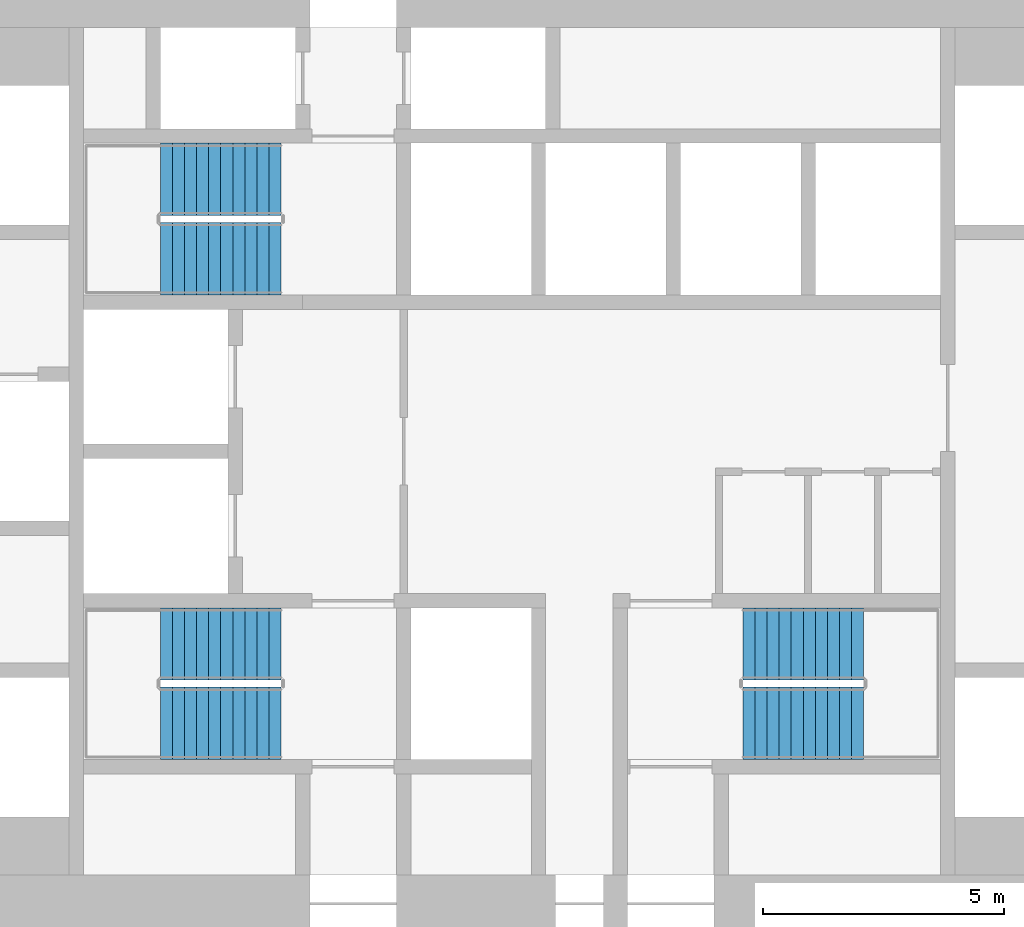
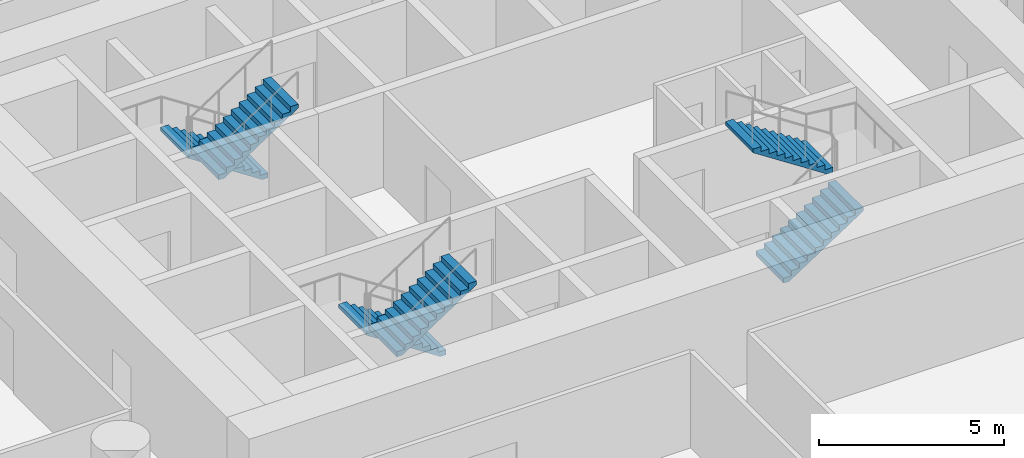
# One storey, part 11 of 12: 6 stair flights, 3 elements without a shape of their own.
"""IFC4 building model written with IfcOpenShell, lengths in metres."""

from ifc_helpers import new_model, si_unit, direction, frame, origin, place, context, subcontext, project, spatial, polyline, outline, extrude, material, type_object, element, aggregate, save


model = new_model("IFC4")

# Units and contexts
model_context = context("Model", 3, precision=1e-05, world=origin(), true_north=direction((0.0, 1.0)))
body_context = subcontext(model_context, "Body", "Model", "MODEL_VIEW")
ifc_project = project(units=[si_unit("LENGTHUNIT", "METRE"), si_unit("AREAUNIT", "SQUARE_METRE"), si_unit("VOLUMEUNIT", "CUBIC_METRE"), si_unit("PLANEANGLEUNIT", "RADIAN"), si_unit("MASSUNIT", "GRAM", prefix="KILO")], contexts=[model_context])

# Site, building, storey
site_placement = place(None, origin())
site = spatial("IfcSite", under=ifc_project, at=site_placement, CompositionType="ELEMENT")
building_placement = place(site_placement, origin())
building = spatial("IfcBuilding", under=site, at=building_placement, Name="Tracery Tower", CompositionType="ELEMENT")
storey_placement = place(building_placement, frame((0.0, 0.0, 28.199951171875)))
storey = spatial("IfcBuildingStorey", under=building, at=storey_placement, Name="L05", CompositionType="ELEMENT", Elevation=28.199951171875)

# Stair, stair flights
ifc_material_1 = material(Name="Concrete C32/40", Category="concrete")
stair_type = type_object("IfcStairType", Name="Core stair 22 risers", PredefinedType="HALF_TURN_STAIR", material=ifc_material_1)
stair_1_placement = place(storey_placement, origin())
stair_1 = element("IfcStair", 1, at=stair_1_placement, inside=storey, type_object=stair_type, Name="L05 stair ST1", PredefinedType="HALF_TURN_STAIR")
ifc_material_2 = material(Name="Concrete C32/40", Category="concrete")
stair_flight_type = type_object("IfcStairFlightType", Name="Core stair flight 11 risers", PredefinedType="STRAIGHT", material=ifc_material_2)
stair_flight_1_placement = place(storey_placement, frame((-4.800048828125, -4.0, 0.0), z_axis=(0.0, 0.0, 1.0), x_axis=(-1.0, 0.0, 0.0)))
stair_flight_1 = element("IfcStairFlight", 2, at=stair_flight_1_placement, type_object=stair_flight_type, Name="ST1 flight 1", NumberOfRisers=11, NumberOfTreads=10, PredefinedType="STRAIGHT", RiserHeight=0.163636364, TreadLength=0.25, context=body_context, shape_type="SweptSolid", body=[
    extrude(outline(polyline([(0.0, 0.0), (0.0, 0.002685546875), (0.0, 0.00537109375), (0.0, 0.008056640625), (0.0, 0.0107421875), (0.0, 0.013427734375), (0.0, 0.01611328125), (0.0, 0.018798828125), (0.0, 0.021484375), (0.0, 0.024169921875), (0.0, 0.02685546875), (0.0, 0.029541015625), (0.0, 0.0322265625), (0.0, 0.034912109375), (0.0, 0.03759765625), (0.0, 0.040283203125), (0.0, 0.04296875), (0.0, 0.045654296875), (0.0, 0.04833984375), (0.0, 0.051025390625), (0.0, 0.0537109375), (0.0, 0.056396484375), (0.0, 0.05908203125), (0.0, 0.061767578125), (0.0, 0.064453125), (0.0, 0.067138671875), (0.0, 0.06982421875), (0.0, 0.072509765625), (0.0, 0.0751953125), (0.0, 0.077880859375), (0.0, 0.08056640625), (0.0, 0.083251953125), (0.0, 0.0859375), (0.0, 0.088623046875), (0.0, 0.09130859375), (0.0, 0.093994140625), (0.0, 0.0966796875), (0.0, 0.099365234375), (0.0, 0.10205078125), (0.0, 0.104736328125), (0.0, 0.107421875), (0.0, 0.10986328125), (0.0, 0.112548828125), (0.0, 0.115234375), (0.0, 0.117919921875), (0.0, 0.12060546875), (0.0, 0.123291015625), (0.0, 0.1259765625), (0.0, 0.128662109375), (0.0, 0.13134765625), (0.0, 0.134033203125), (0.0, 0.13671875), (0.0, 0.139404296875), (0.0, 0.14208984375), (0.0, 0.144775390625), (0.0, 0.1474609375), (0.0, 0.150146484375), (0.0, 0.15283203125), (0.0, 0.155517578125), (0.0, 0.158203125), (0.0, 0.160888671875), (0.0, 0.16357421875), (0.25, 0.16357421875), (0.25, 0.327392578125), (0.5, 0.327392578125), (0.5, 0.490966796875), (0.75, 0.490966796875), (0.75, 0.654541015625), (1.0, 0.654541015625), (1.0, 0.818115234375), (1.25, 0.818115234375), (1.25, 0.98193359375), (1.5, 0.98193359375), (1.5, 1.1455078125), (1.75, 1.1455078125), (1.75, 1.30908203125), (2.0, 1.30908203125), (2.0, 1.47265625), (2.25, 1.47265625), (2.25, 1.636474609375), (2.5, 1.636474609375), (2.5, 1.634521484375), (2.5, 1.63232421875), (2.5, 1.63037109375), (2.5, 1.62841796875), (2.5, 1.62646484375), (2.5, 1.62451171875), (2.5, 1.62255859375), (2.5, 1.62060546875), (2.5, 1.61865234375), (2.5, 1.61669921875), (2.5, 1.61474609375), (2.5, 1.61279296875), (2.5, 1.61083984375), (2.5, 1.60888671875), (2.5, 1.60693359375), (2.5, 1.60498046875), (2.5, 1.60302734375), (2.5, 1.60107421875), (2.5, 1.59912109375), (2.5, 1.59716796875), (2.5, 1.59521484375), (2.5, 1.59326171875), (2.5, 1.59130859375), (2.5, 1.58935546875), (2.5, 1.58740234375), (2.5, 1.58544921875), (2.5, 1.58349609375), (2.5, 1.58154296875), (2.5, 1.57958984375), (2.5, 1.57763671875), (2.5, 1.57568359375), (2.5, 1.573486328125), (2.5, 1.571533203125), (2.5, 1.569580078125), (2.5, 1.567626953125), (2.5, 1.565673828125), (2.5, 1.563720703125), (2.5, 1.561767578125), (2.5, 1.559814453125), (2.5, 1.557861328125), (2.5, 1.555908203125), (2.5, 1.553955078125), (2.5, 1.552001953125), (2.5, 1.550048828125), (2.5, 1.548095703125), (2.5, 1.546142578125), (2.5, 1.544189453125), (2.5, 1.542236328125), (2.5, 1.540283203125), (2.5, 1.538330078125), (2.5, 1.536376953125), (2.5, 1.534423828125), (2.5, 1.532470703125), (2.5, 1.530517578125), (2.5, 1.528564453125), (2.5, 1.526611328125), (2.5, 1.524658203125), (2.5, 1.522705078125), (2.5, 1.520751953125), (2.5, 1.518798828125), (2.5, 1.516845703125), (0.182861328125, 0.0), (0.0, 0.0)])), frame((0.0, 0.75, 0.0), z_axis=(0.0, -1.0, 0.0), x_axis=(1.0, 0.0, 0.0)), (0.0, 0.0, 1.0), 1.5),
])
stair_flight_2_placement = place(storey_placement, frame((-7.300048828125, -5.64990234375, 1.800048828125), z_axis=(0.0, 0.0, 1.0), x_axis=(1.0, 0.0, 0.0)))
stair_flight_2 = element("IfcStairFlight", 3, at=stair_flight_2_placement, type_object=stair_flight_type, Name="ST1 flight 2", NumberOfRisers=11, NumberOfTreads=10, PredefinedType="STRAIGHT", RiserHeight=0.163636364, TreadLength=0.25, context=body_context, shape_type="SweptSolid", body=[
    extrude(outline(polyline([(0.0, 0.0), (0.0, 0.002685546875), (0.0, 0.00537109375), (0.0, 0.008056640625), (0.0, 0.0107421875), (0.0, 0.013427734375), (0.0, 0.01611328125), (0.0, 0.018798828125), (0.0, 0.021484375), (0.0, 0.024169921875), (0.0, 0.02685546875), (0.0, 0.029541015625), (0.0, 0.0322265625), (0.0, 0.034912109375), (0.0, 0.03759765625), (0.0, 0.040283203125), (0.0, 0.04296875), (0.0, 0.045654296875), (0.0, 0.04833984375), (0.0, 0.051025390625), (0.0, 0.0537109375), (0.0, 0.056396484375), (0.0, 0.05908203125), (0.0, 0.061767578125), (0.0, 0.064453125), (0.0, 0.067138671875), (0.0, 0.06982421875), (0.0, 0.072509765625), (0.0, 0.0751953125), (0.0, 0.077880859375), (0.0, 0.08056640625), (0.0, 0.083251953125), (0.0, 0.0859375), (0.0, 0.088623046875), (0.0, 0.09130859375), (0.0, 0.093994140625), (0.0, 0.0966796875), (0.0, 0.099365234375), (0.0, 0.10205078125), (0.0, 0.104736328125), (0.0, 0.107421875), (0.0, 0.10986328125), (0.0, 0.112548828125), (0.0, 0.115234375), (0.0, 0.117919921875), (0.0, 0.12060546875), (0.0, 0.123291015625), (0.0, 0.1259765625), (0.0, 0.128662109375), (0.0, 0.13134765625), (0.0, 0.134033203125), (0.0, 0.13671875), (0.0, 0.139404296875), (0.0, 0.14208984375), (0.0, 0.144775390625), (0.0, 0.1474609375), (0.0, 0.150146484375), (0.0, 0.15283203125), (0.0, 0.155517578125), (0.0, 0.158203125), (0.0, 0.160888671875), (0.0, 0.16357421875), (0.25, 0.16357421875), (0.25, 0.327392578125), (0.5, 0.327392578125), (0.5, 0.490966796875), (0.75, 0.490966796875), (0.75, 0.654541015625), (1.0, 0.654541015625), (1.0, 0.818115234375), (1.25, 0.818115234375), (1.25, 0.98193359375), (1.5, 0.98193359375), (1.5, 1.1455078125), (1.75, 1.1455078125), (1.75, 1.30908203125), (2.0, 1.30908203125), (2.0, 1.47265625), (2.25, 1.47265625), (2.25, 1.636474609375), (2.5, 1.636474609375), (2.5, 1.634521484375), (2.5, 1.63232421875), (2.5, 1.63037109375), (2.5, 1.62841796875), (2.5, 1.62646484375), (2.5, 1.62451171875), (2.5, 1.62255859375), (2.5, 1.62060546875), (2.5, 1.61865234375), (2.5, 1.61669921875), (2.5, 1.61474609375), (2.5, 1.61279296875), (2.5, 1.61083984375), (2.5, 1.60888671875), (2.5, 1.60693359375), (2.5, 1.60498046875), (2.5, 1.60302734375), (2.5, 1.60107421875), (2.5, 1.59912109375), (2.5, 1.59716796875), (2.5, 1.59521484375), (2.5, 1.59326171875), (2.5, 1.59130859375), (2.5, 1.58935546875), (2.5, 1.58740234375), (2.5, 1.58544921875), (2.5, 1.58349609375), (2.5, 1.58154296875), (2.5, 1.57958984375), (2.5, 1.57763671875), (2.5, 1.57568359375), (2.5, 1.573486328125), (2.5, 1.571533203125), (2.5, 1.569580078125), (2.5, 1.567626953125), (2.5, 1.565673828125), (2.5, 1.563720703125), (2.5, 1.561767578125), (2.5, 1.559814453125), (2.5, 1.557861328125), (2.5, 1.555908203125), (2.5, 1.553955078125), (2.5, 1.552001953125), (2.5, 1.550048828125), (2.5, 1.548095703125), (2.5, 1.546142578125), (2.5, 1.544189453125), (2.5, 1.542236328125), (2.5, 1.540283203125), (2.5, 1.538330078125), (2.5, 1.536376953125), (2.5, 1.534423828125), (2.5, 1.532470703125), (2.5, 1.530517578125), (2.5, 1.528564453125), (2.5, 1.526611328125), (2.5, 1.524658203125), (2.5, 1.522705078125), (2.5, 1.520751953125), (2.5, 1.518798828125), (2.5, 1.516845703125), (0.182861328125, 0.0), (0.0, 0.0)])), frame((0.0, 0.75, 0.0), z_axis=(0.0, -1.0, 0.0), x_axis=(1.0, 0.0, 0.0)), (0.0, 0.0, 1.0), 1.5),
])
aggregate(stair_1, [stair_flight_1, stair_flight_2])

stair_2_placement = place(storey_placement, origin())
stair_2 = element("IfcStair", 4, at=stair_2_placement, inside=storey, type_object=stair_type, Name="L05 stair ST3", PredefinedType="HALF_TURN_STAIR")
stair_flight_3_placement = place(storey_placement, frame((-4.800048828125, 5.64990234375, 0.0), z_axis=(0.0, 0.0, 1.0), x_axis=(-1.0, 0.0, 0.0)))
stair_flight_3 = element("IfcStairFlight", 5, at=stair_flight_3_placement, type_object=stair_flight_type, Name="ST3 flight 1", NumberOfRisers=11, NumberOfTreads=10, PredefinedType="STRAIGHT", RiserHeight=0.163636364, TreadLength=0.25, context=body_context, shape_type="SweptSolid", body=[
    extrude(outline(polyline([(0.0, 0.0), (0.0, 0.002685546875), (0.0, 0.00537109375), (0.0, 0.008056640625), (0.0, 0.0107421875), (0.0, 0.013427734375), (0.0, 0.01611328125), (0.0, 0.018798828125), (0.0, 0.021484375), (0.0, 0.024169921875), (0.0, 0.02685546875), (0.0, 0.029541015625), (0.0, 0.0322265625), (0.0, 0.034912109375), (0.0, 0.03759765625), (0.0, 0.040283203125), (0.0, 0.04296875), (0.0, 0.045654296875), (0.0, 0.04833984375), (0.0, 0.051025390625), (0.0, 0.0537109375), (0.0, 0.056396484375), (0.0, 0.05908203125), (0.0, 0.061767578125), (0.0, 0.064453125), (0.0, 0.067138671875), (0.0, 0.06982421875), (0.0, 0.072509765625), (0.0, 0.0751953125), (0.0, 0.077880859375), (0.0, 0.08056640625), (0.0, 0.083251953125), (0.0, 0.0859375), (0.0, 0.088623046875), (0.0, 0.09130859375), (0.0, 0.093994140625), (0.0, 0.0966796875), (0.0, 0.099365234375), (0.0, 0.10205078125), (0.0, 0.104736328125), (0.0, 0.107421875), (0.0, 0.10986328125), (0.0, 0.112548828125), (0.0, 0.115234375), (0.0, 0.117919921875), (0.0, 0.12060546875), (0.0, 0.123291015625), (0.0, 0.1259765625), (0.0, 0.128662109375), (0.0, 0.13134765625), (0.0, 0.134033203125), (0.0, 0.13671875), (0.0, 0.139404296875), (0.0, 0.14208984375), (0.0, 0.144775390625), (0.0, 0.1474609375), (0.0, 0.150146484375), (0.0, 0.15283203125), (0.0, 0.155517578125), (0.0, 0.158203125), (0.0, 0.160888671875), (0.0, 0.16357421875), (0.25, 0.16357421875), (0.25, 0.327392578125), (0.5, 0.327392578125), (0.5, 0.490966796875), (0.75, 0.490966796875), (0.75, 0.654541015625), (1.0, 0.654541015625), (1.0, 0.818115234375), (1.25, 0.818115234375), (1.25, 0.98193359375), (1.5, 0.98193359375), (1.5, 1.1455078125), (1.75, 1.1455078125), (1.75, 1.30908203125), (2.0, 1.30908203125), (2.0, 1.47265625), (2.25, 1.47265625), (2.25, 1.636474609375), (2.5, 1.636474609375), (2.5, 1.634521484375), (2.5, 1.63232421875), (2.5, 1.63037109375), (2.5, 1.62841796875), (2.5, 1.62646484375), (2.5, 1.62451171875), (2.5, 1.62255859375), (2.5, 1.62060546875), (2.5, 1.61865234375), (2.5, 1.61669921875), (2.5, 1.61474609375), (2.5, 1.61279296875), (2.5, 1.61083984375), (2.5, 1.60888671875), (2.5, 1.60693359375), (2.5, 1.60498046875), (2.5, 1.60302734375), (2.5, 1.60107421875), (2.5, 1.59912109375), (2.5, 1.59716796875), (2.5, 1.59521484375), (2.5, 1.59326171875), (2.5, 1.59130859375), (2.5, 1.58935546875), (2.5, 1.58740234375), (2.5, 1.58544921875), (2.5, 1.58349609375), (2.5, 1.58154296875), (2.5, 1.57958984375), (2.5, 1.57763671875), (2.5, 1.57568359375), (2.5, 1.573486328125), (2.5, 1.571533203125), (2.5, 1.569580078125), (2.5, 1.567626953125), (2.5, 1.565673828125), (2.5, 1.563720703125), (2.5, 1.561767578125), (2.5, 1.559814453125), (2.5, 1.557861328125), (2.5, 1.555908203125), (2.5, 1.553955078125), (2.5, 1.552001953125), (2.5, 1.550048828125), (2.5, 1.548095703125), (2.5, 1.546142578125), (2.5, 1.544189453125), (2.5, 1.542236328125), (2.5, 1.540283203125), (2.5, 1.538330078125), (2.5, 1.536376953125), (2.5, 1.534423828125), (2.5, 1.532470703125), (2.5, 1.530517578125), (2.5, 1.528564453125), (2.5, 1.526611328125), (2.5, 1.524658203125), (2.5, 1.522705078125), (2.5, 1.520751953125), (2.5, 1.518798828125), (2.5, 1.516845703125), (0.182861328125, 0.0), (0.0, 0.0)])), frame((0.0, 0.75, 0.0), z_axis=(0.0, -1.0, 0.0), x_axis=(1.0, 0.0, 0.0)), (0.0, 0.0, 1.0), 1.5),
])
stair_flight_4_placement = place(storey_placement, frame((-7.300048828125, 4.0, 1.800048828125), z_axis=(0.0, 0.0, 1.0), x_axis=(1.0, 0.0, 0.0)))
stair_flight_4 = element("IfcStairFlight", 6, at=stair_flight_4_placement, type_object=stair_flight_type, Name="ST3 flight 2", NumberOfRisers=11, NumberOfTreads=10, PredefinedType="STRAIGHT", RiserHeight=0.163636364, TreadLength=0.25, context=body_context, shape_type="SweptSolid", body=[
    extrude(outline(polyline([(0.0, 0.0), (0.0, 0.002685546875), (0.0, 0.00537109375), (0.0, 0.008056640625), (0.0, 0.0107421875), (0.0, 0.013427734375), (0.0, 0.01611328125), (0.0, 0.018798828125), (0.0, 0.021484375), (0.0, 0.024169921875), (0.0, 0.02685546875), (0.0, 0.029541015625), (0.0, 0.0322265625), (0.0, 0.034912109375), (0.0, 0.03759765625), (0.0, 0.040283203125), (0.0, 0.04296875), (0.0, 0.045654296875), (0.0, 0.04833984375), (0.0, 0.051025390625), (0.0, 0.0537109375), (0.0, 0.056396484375), (0.0, 0.05908203125), (0.0, 0.061767578125), (0.0, 0.064453125), (0.0, 0.067138671875), (0.0, 0.06982421875), (0.0, 0.072509765625), (0.0, 0.0751953125), (0.0, 0.077880859375), (0.0, 0.08056640625), (0.0, 0.083251953125), (0.0, 0.0859375), (0.0, 0.088623046875), (0.0, 0.09130859375), (0.0, 0.093994140625), (0.0, 0.0966796875), (0.0, 0.099365234375), (0.0, 0.10205078125), (0.0, 0.104736328125), (0.0, 0.107421875), (0.0, 0.10986328125), (0.0, 0.112548828125), (0.0, 0.115234375), (0.0, 0.117919921875), (0.0, 0.12060546875), (0.0, 0.123291015625), (0.0, 0.1259765625), (0.0, 0.128662109375), (0.0, 0.13134765625), (0.0, 0.134033203125), (0.0, 0.13671875), (0.0, 0.139404296875), (0.0, 0.14208984375), (0.0, 0.144775390625), (0.0, 0.1474609375), (0.0, 0.150146484375), (0.0, 0.15283203125), (0.0, 0.155517578125), (0.0, 0.158203125), (0.0, 0.160888671875), (0.0, 0.16357421875), (0.25, 0.16357421875), (0.25, 0.327392578125), (0.5, 0.327392578125), (0.5, 0.490966796875), (0.75, 0.490966796875), (0.75, 0.654541015625), (1.0, 0.654541015625), (1.0, 0.818115234375), (1.25, 0.818115234375), (1.25, 0.98193359375), (1.5, 0.98193359375), (1.5, 1.1455078125), (1.75, 1.1455078125), (1.75, 1.30908203125), (2.0, 1.30908203125), (2.0, 1.47265625), (2.25, 1.47265625), (2.25, 1.636474609375), (2.5, 1.636474609375), (2.5, 1.634521484375), (2.5, 1.63232421875), (2.5, 1.63037109375), (2.5, 1.62841796875), (2.5, 1.62646484375), (2.5, 1.62451171875), (2.5, 1.62255859375), (2.5, 1.62060546875), (2.5, 1.61865234375), (2.5, 1.61669921875), (2.5, 1.61474609375), (2.5, 1.61279296875), (2.5, 1.61083984375), (2.5, 1.60888671875), (2.5, 1.60693359375), (2.5, 1.60498046875), (2.5, 1.60302734375), (2.5, 1.60107421875), (2.5, 1.59912109375), (2.5, 1.59716796875), (2.5, 1.59521484375), (2.5, 1.59326171875), (2.5, 1.59130859375), (2.5, 1.58935546875), (2.5, 1.58740234375), (2.5, 1.58544921875), (2.5, 1.58349609375), (2.5, 1.58154296875), (2.5, 1.57958984375), (2.5, 1.57763671875), (2.5, 1.57568359375), (2.5, 1.573486328125), (2.5, 1.571533203125), (2.5, 1.569580078125), (2.5, 1.567626953125), (2.5, 1.565673828125), (2.5, 1.563720703125), (2.5, 1.561767578125), (2.5, 1.559814453125), (2.5, 1.557861328125), (2.5, 1.555908203125), (2.5, 1.553955078125), (2.5, 1.552001953125), (2.5, 1.550048828125), (2.5, 1.548095703125), (2.5, 1.546142578125), (2.5, 1.544189453125), (2.5, 1.542236328125), (2.5, 1.540283203125), (2.5, 1.538330078125), (2.5, 1.536376953125), (2.5, 1.534423828125), (2.5, 1.532470703125), (2.5, 1.530517578125), (2.5, 1.528564453125), (2.5, 1.526611328125), (2.5, 1.524658203125), (2.5, 1.522705078125), (2.5, 1.520751953125), (2.5, 1.518798828125), (2.5, 1.516845703125), (0.182861328125, 0.0), (0.0, 0.0)])), frame((0.0, 0.75, 0.0), z_axis=(0.0, -1.0, 0.0), x_axis=(1.0, 0.0, 0.0)), (0.0, 0.0, 1.0), 1.5),
])
aggregate(stair_2, [stair_flight_3, stair_flight_4])

stair_3_placement = place(storey_placement, origin())
stair_3 = element("IfcStair", 7, at=stair_3_placement, inside=storey, type_object=stair_type, Name="L05 stair ST2", PredefinedType="HALF_TURN_STAIR")
stair_flight_5_placement = place(storey_placement, frame((4.800048828125, -5.64990234375, 0.0), z_axis=(0.0, 0.0, 1.0), x_axis=(1.0, 0.0, 0.0)))
stair_flight_5 = element("IfcStairFlight", 8, at=stair_flight_5_placement, type_object=stair_flight_type, Name="ST2 flight 1", NumberOfRisers=11, NumberOfTreads=10, PredefinedType="STRAIGHT", RiserHeight=0.163636364, TreadLength=0.25, context=body_context, shape_type="SweptSolid", body=[
    extrude(outline(polyline([(0.0, 0.0), (0.0, 0.002685546875), (0.0, 0.00537109375), (0.0, 0.008056640625), (0.0, 0.0107421875), (0.0, 0.013427734375), (0.0, 0.01611328125), (0.0, 0.018798828125), (0.0, 0.021484375), (0.0, 0.024169921875), (0.0, 0.02685546875), (0.0, 0.029541015625), (0.0, 0.0322265625), (0.0, 0.034912109375), (0.0, 0.03759765625), (0.0, 0.040283203125), (0.0, 0.04296875), (0.0, 0.045654296875), (0.0, 0.04833984375), (0.0, 0.051025390625), (0.0, 0.0537109375), (0.0, 0.056396484375), (0.0, 0.05908203125), (0.0, 0.061767578125), (0.0, 0.064453125), (0.0, 0.067138671875), (0.0, 0.06982421875), (0.0, 0.072509765625), (0.0, 0.0751953125), (0.0, 0.077880859375), (0.0, 0.08056640625), (0.0, 0.083251953125), (0.0, 0.0859375), (0.0, 0.088623046875), (0.0, 0.09130859375), (0.0, 0.093994140625), (0.0, 0.0966796875), (0.0, 0.099365234375), (0.0, 0.10205078125), (0.0, 0.104736328125), (0.0, 0.107421875), (0.0, 0.10986328125), (0.0, 0.112548828125), (0.0, 0.115234375), (0.0, 0.117919921875), (0.0, 0.12060546875), (0.0, 0.123291015625), (0.0, 0.1259765625), (0.0, 0.128662109375), (0.0, 0.13134765625), (0.0, 0.134033203125), (0.0, 0.13671875), (0.0, 0.139404296875), (0.0, 0.14208984375), (0.0, 0.144775390625), (0.0, 0.1474609375), (0.0, 0.150146484375), (0.0, 0.15283203125), (0.0, 0.155517578125), (0.0, 0.158203125), (0.0, 0.160888671875), (0.0, 0.16357421875), (0.25, 0.16357421875), (0.25, 0.327392578125), (0.5, 0.327392578125), (0.5, 0.490966796875), (0.75, 0.490966796875), (0.75, 0.654541015625), (1.0, 0.654541015625), (1.0, 0.818115234375), (1.25, 0.818115234375), (1.25, 0.98193359375), (1.5, 0.98193359375), (1.5, 1.1455078125), (1.75, 1.1455078125), (1.75, 1.30908203125), (2.0, 1.30908203125), (2.0, 1.47265625), (2.25, 1.47265625), (2.25, 1.636474609375), (2.5, 1.636474609375), (2.5, 1.634521484375), (2.5, 1.63232421875), (2.5, 1.63037109375), (2.5, 1.62841796875), (2.5, 1.62646484375), (2.5, 1.62451171875), (2.5, 1.62255859375), (2.5, 1.62060546875), (2.5, 1.61865234375), (2.5, 1.61669921875), (2.5, 1.61474609375), (2.5, 1.61279296875), (2.5, 1.61083984375), (2.5, 1.60888671875), (2.5, 1.60693359375), (2.5, 1.60498046875), (2.5, 1.60302734375), (2.5, 1.60107421875), (2.5, 1.59912109375), (2.5, 1.59716796875), (2.5, 1.59521484375), (2.5, 1.59326171875), (2.5, 1.59130859375), (2.5, 1.58935546875), (2.5, 1.58740234375), (2.5, 1.58544921875), (2.5, 1.58349609375), (2.5, 1.58154296875), (2.5, 1.57958984375), (2.5, 1.57763671875), (2.5, 1.57568359375), (2.5, 1.573486328125), (2.5, 1.571533203125), (2.5, 1.569580078125), (2.5, 1.567626953125), (2.5, 1.565673828125), (2.5, 1.563720703125), (2.5, 1.561767578125), (2.5, 1.559814453125), (2.5, 1.557861328125), (2.5, 1.555908203125), (2.5, 1.553955078125), (2.5, 1.552001953125), (2.5, 1.550048828125), (2.5, 1.548095703125), (2.5, 1.546142578125), (2.5, 1.544189453125), (2.5, 1.542236328125), (2.5, 1.540283203125), (2.5, 1.538330078125), (2.5, 1.536376953125), (2.5, 1.534423828125), (2.5, 1.532470703125), (2.5, 1.530517578125), (2.5, 1.528564453125), (2.5, 1.526611328125), (2.5, 1.524658203125), (2.5, 1.522705078125), (2.5, 1.520751953125), (2.5, 1.518798828125), (2.5, 1.516845703125), (0.182861328125, 0.0), (0.0, 0.0)])), frame((0.0, 0.75, 0.0), z_axis=(0.0, -1.0, 0.0), x_axis=(1.0, 0.0, 0.0)), (0.0, 0.0, 1.0), 1.5),
])
stair_flight_6_placement = place(storey_placement, frame((7.300048828125, -4.0, 1.800048828125), z_axis=(0.0, 0.0, 1.0), x_axis=(-1.0, 0.0, 0.0)))
stair_flight_6 = element("IfcStairFlight", 9, at=stair_flight_6_placement, type_object=stair_flight_type, Name="ST2 flight 2", NumberOfRisers=11, NumberOfTreads=10, PredefinedType="STRAIGHT", RiserHeight=0.163636364, TreadLength=0.25, context=body_context, shape_type="SweptSolid", body=[
    extrude(outline(polyline([(0.0, 0.0), (0.0, 0.002685546875), (0.0, 0.00537109375), (0.0, 0.008056640625), (0.0, 0.0107421875), (0.0, 0.013427734375), (0.0, 0.01611328125), (0.0, 0.018798828125), (0.0, 0.021484375), (0.0, 0.024169921875), (0.0, 0.02685546875), (0.0, 0.029541015625), (0.0, 0.0322265625), (0.0, 0.034912109375), (0.0, 0.03759765625), (0.0, 0.040283203125), (0.0, 0.04296875), (0.0, 0.045654296875), (0.0, 0.04833984375), (0.0, 0.051025390625), (0.0, 0.0537109375), (0.0, 0.056396484375), (0.0, 0.05908203125), (0.0, 0.061767578125), (0.0, 0.064453125), (0.0, 0.067138671875), (0.0, 0.06982421875), (0.0, 0.072509765625), (0.0, 0.0751953125), (0.0, 0.077880859375), (0.0, 0.08056640625), (0.0, 0.083251953125), (0.0, 0.0859375), (0.0, 0.088623046875), (0.0, 0.09130859375), (0.0, 0.093994140625), (0.0, 0.0966796875), (0.0, 0.099365234375), (0.0, 0.10205078125), (0.0, 0.104736328125), (0.0, 0.107421875), (0.0, 0.10986328125), (0.0, 0.112548828125), (0.0, 0.115234375), (0.0, 0.117919921875), (0.0, 0.12060546875), (0.0, 0.123291015625), (0.0, 0.1259765625), (0.0, 0.128662109375), (0.0, 0.13134765625), (0.0, 0.134033203125), (0.0, 0.13671875), (0.0, 0.139404296875), (0.0, 0.14208984375), (0.0, 0.144775390625), (0.0, 0.1474609375), (0.0, 0.150146484375), (0.0, 0.15283203125), (0.0, 0.155517578125), (0.0, 0.158203125), (0.0, 0.160888671875), (0.0, 0.16357421875), (0.25, 0.16357421875), (0.25, 0.327392578125), (0.5, 0.327392578125), (0.5, 0.490966796875), (0.75, 0.490966796875), (0.75, 0.654541015625), (1.0, 0.654541015625), (1.0, 0.818115234375), (1.25, 0.818115234375), (1.25, 0.98193359375), (1.5, 0.98193359375), (1.5, 1.1455078125), (1.75, 1.1455078125), (1.75, 1.30908203125), (2.0, 1.30908203125), (2.0, 1.47265625), (2.25, 1.47265625), (2.25, 1.636474609375), (2.5, 1.636474609375), (2.5, 1.634521484375), (2.5, 1.63232421875), (2.5, 1.63037109375), (2.5, 1.62841796875), (2.5, 1.62646484375), (2.5, 1.62451171875), (2.5, 1.62255859375), (2.5, 1.62060546875), (2.5, 1.61865234375), (2.5, 1.61669921875), (2.5, 1.61474609375), (2.5, 1.61279296875), (2.5, 1.61083984375), (2.5, 1.60888671875), (2.5, 1.60693359375), (2.5, 1.60498046875), (2.5, 1.60302734375), (2.5, 1.60107421875), (2.5, 1.59912109375), (2.5, 1.59716796875), (2.5, 1.59521484375), (2.5, 1.59326171875), (2.5, 1.59130859375), (2.5, 1.58935546875), (2.5, 1.58740234375), (2.5, 1.58544921875), (2.5, 1.58349609375), (2.5, 1.58154296875), (2.5, 1.57958984375), (2.5, 1.57763671875), (2.5, 1.57568359375), (2.5, 1.573486328125), (2.5, 1.571533203125), (2.5, 1.569580078125), (2.5, 1.567626953125), (2.5, 1.565673828125), (2.5, 1.563720703125), (2.5, 1.561767578125), (2.5, 1.559814453125), (2.5, 1.557861328125), (2.5, 1.555908203125), (2.5, 1.553955078125), (2.5, 1.552001953125), (2.5, 1.550048828125), (2.5, 1.548095703125), (2.5, 1.546142578125), (2.5, 1.544189453125), (2.5, 1.542236328125), (2.5, 1.540283203125), (2.5, 1.538330078125), (2.5, 1.536376953125), (2.5, 1.534423828125), (2.5, 1.532470703125), (2.5, 1.530517578125), (2.5, 1.528564453125), (2.5, 1.526611328125), (2.5, 1.524658203125), (2.5, 1.522705078125), (2.5, 1.520751953125), (2.5, 1.518798828125), (2.5, 1.516845703125), (0.182861328125, 0.0), (0.0, 0.0)])), frame((0.0, 0.75, 0.0), z_axis=(0.0, -1.0, 0.0), x_axis=(1.0, 0.0, 0.0)), (0.0, 0.0, 1.0), 1.5),
])
aggregate(stair_3, [stair_flight_5, stair_flight_6])

save(model, "model.ifc")
